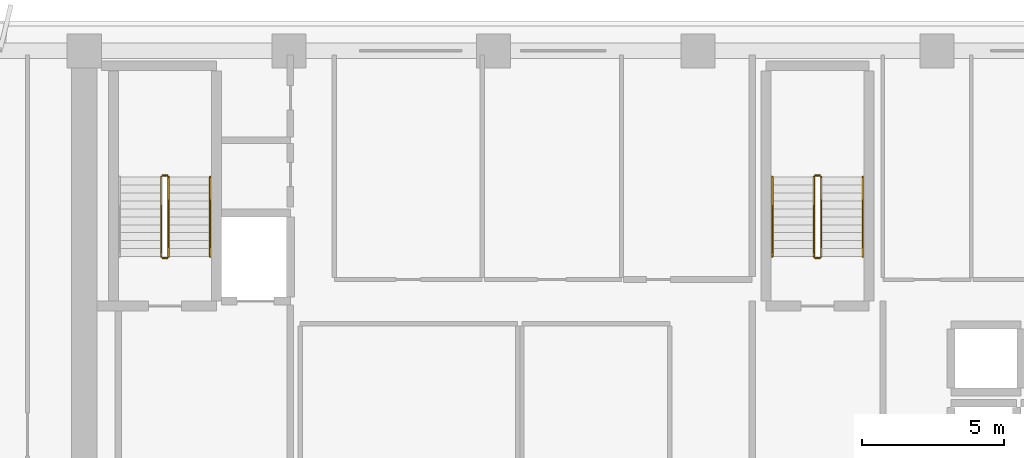
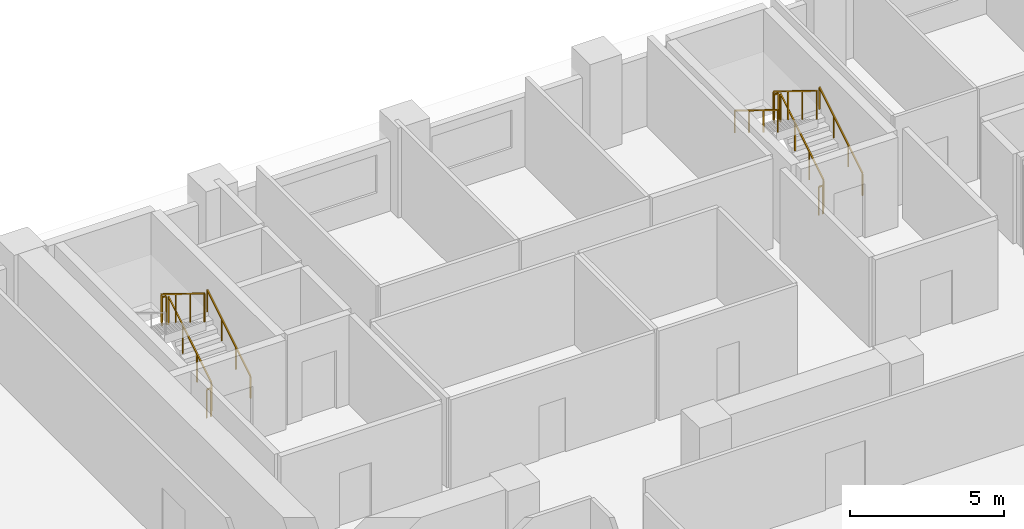
# One storey, part 13 of 15: 11 railings.
"""IFC4 building model written with IfcOpenShell, lengths in metres."""

from ifc_helpers import new_model, si_unit, direction, frame, origin, origin_2d, place, context, subcontext, project, spatial, rectangle, extrude, material, type_object, element, save


model = new_model("IFC4")

# Units and contexts
model_context = context("Model", 3, precision=1e-05, world=origin(), true_north=direction((0.0, 1.0)))
body_context = subcontext(model_context, "Body", "Model", "MODEL_VIEW")
ifc_project = project(units=[si_unit("LENGTHUNIT", "METRE"), si_unit("AREAUNIT", "SQUARE_METRE"), si_unit("VOLUMEUNIT", "CUBIC_METRE"), si_unit("PLANEANGLEUNIT", "RADIAN"), si_unit("MASSUNIT", "GRAM", prefix="KILO")], contexts=[model_context])

# Site, building, storey
site_placement = place(None, origin())
site = spatial("IfcSite", under=ifc_project, at=site_placement, CompositionType="ELEMENT")
building_placement = place(site_placement, origin())
building = spatial("IfcBuilding", under=site, at=building_placement, Name="Kaelvorn Grand Hotel", CompositionType="ELEMENT")
storey_placement = place(building_placement, frame((0.0, 0.0, 150.550048828125)))
storey = spatial("IfcBuildingStorey", under=building, at=storey_placement, Name="L36", CompositionType="ELEMENT", Elevation=150.550048828125)

# Railings
ifc_material = material(Name="Stainless Steel", Category="steel")
railing_type_1 = type_object("IfcRailingType", Name="RL-HANDRAIL-900", PredefinedType="HANDRAIL", material=ifc_material)
for number, where, name in (
    (1, (20.6298828125, 41.760009765625, 0.172607421875), "L36 ST1 stair handrail 1"),
    (2, (43.590087890625, 41.760009765625, 0.172607421875), "L36 ST2 stair handrail 1"),
):
    element("IfcRailing", number, at=place(storey_placement, frame(where)), inside=storey, type_object=railing_type_1, Name=name, PredefinedType="HANDRAIL", context=body_context, shape_type="SweptSolid", body=[
        extrude(rectangle(XDim=0.048095703125, YDim=0.048095703125, at=origin_2d()), frame((0.0, 0.0, 0.8759765625), z_axis=(0.0, 0.851089632645, 0.525020415988), x_axis=(-1.0, 0.0, 0.0)), (0.0, 0.0, 1.0), 3.2900390625),
        extrude(rectangle(XDim=0.0419921875, YDim=0.0419921875, at=origin_2d()), origin(), (0.0, 0.0, 1.0), 0.851806640625),
        extrude(rectangle(XDim=0.0419921875, YDim=0.0419921875, at=origin_2d()), frame((0.0, 0.933349609375, 0.57568359375)), (0.0, 0.0, 1.0), 0.851806640625),
        extrude(rectangle(XDim=0.0419921875, YDim=0.0419921875, at=origin_2d()), frame((0.0, 1.86669921875, 1.151611328125)), (0.0, 0.0, 1.0), 0.851806640625),
        extrude(rectangle(XDim=0.0419921875, YDim=0.0419921875, at=origin_2d()), frame((0.0, 2.800048828125, 1.727294921875)), (0.0, 0.0, 1.0), 0.851806640625),
    ])
railing_1_placement = place(storey_placement, frame((40.409912109375, 44.56005859375, 2.07275390625)))
element("IfcRailing", 3, at=railing_1_placement, inside=storey, type_object=railing_type_1, Name="L36 ST2 stair handrail 2", PredefinedType="HANDRAIL", context=body_context, shape_type="SweptSolid", body=[
    extrude(rectangle(XDim=0.048095703125, YDim=0.048095703125, at=origin_2d()), frame((0.0, 0.0, 0.8759765625), z_axis=(0.0, -0.851089632645, 0.525020415988), x_axis=(1.0, 0.0, 0.0)), (0.0, 0.0, 1.0), 3.2900390625),
    extrude(rectangle(XDim=0.0419921875, YDim=0.0419921875, at=origin_2d()), origin(), (0.0, 0.0, 1.0), 0.851806640625),
    extrude(rectangle(XDim=0.0419921875, YDim=0.0419921875, at=origin_2d()), frame((0.0, -0.933349609375, 0.57568359375)), (0.0, 0.0, 1.0), 0.851806640625),
    extrude(rectangle(XDim=0.0419921875, YDim=0.0419921875, at=origin_2d()), frame((0.0, -1.86669921875, 1.151611328125)), (0.0, 0.0, 1.0), 0.851806640625),
    extrude(rectangle(XDim=0.0419921875, YDim=0.0419921875, at=origin_2d()), frame((0.0, -2.800048828125, 1.727294921875)), (0.0, 0.0, 1.0), 0.851806640625),
])
railing_type_2 = type_object("IfcRailingType", Name="RL-STAIR-GUARD-1150", PredefinedType="BALUSTRADE", material=ifc_material)
railing_2_placement = place(storey_placement, frame((19.169921875, 41.760009765625, 0.172607421875)))
element("IfcRailing", 4, at=railing_2_placement, inside=storey, type_object=railing_type_2, Name="L36 ST1 stair guard 1", PredefinedType="BALUSTRADE", context=body_context, shape_type="SweptSolid", body=[
    extrude(rectangle(XDim=0.048095703125, YDim=0.048095703125, at=origin_2d()), frame((0.0, 0.0, 1.1259765625), z_axis=(0.0, 0.851089632645, 0.525020415988), x_axis=(-1.0, 0.0, 0.0)), (0.0, 0.0, 1.0), 3.2900390625),
    extrude(rectangle(XDim=0.0419921875, YDim=0.0419921875, at=origin_2d()), origin(), (0.0, 0.0, 1.0), 1.101806640625),
    extrude(rectangle(XDim=0.0419921875, YDim=0.0419921875, at=origin_2d()), frame((0.0, 0.933349609375, 0.57568359375)), (0.0, 0.0, 1.0), 1.101806640625),
    extrude(rectangle(XDim=0.0419921875, YDim=0.0419921875, at=origin_2d()), frame((0.0, 1.86669921875, 1.151611328125)), (0.0, 0.0, 1.0), 1.101806640625),
    extrude(rectangle(XDim=0.0419921875, YDim=0.0419921875, at=origin_2d()), frame((0.0, 2.800048828125, 1.727294921875)), (0.0, 0.0, 1.0), 1.101806640625),
])
railing_3_placement = place(storey_placement, frame((19.1201171875, 44.610107421875, 1.89990234375)))
element("IfcRailing", 5, at=railing_3_placement, inside=storey, type_object=railing_type_2, Name="L36 ST1 stair guard 2", PredefinedType="BALUSTRADE", context=body_context, shape_type="SweptSolid", body=[
    extrude(rectangle(XDim=0.048095703125, YDim=0.048095703125, at=origin_2d()), frame((0.0, 0.0, 1.1259765625), z_axis=(-1.0, 0.0, 0.0), x_axis=(0.0, -1.0, 0.0)), (0.0, 0.0, 1.0), 0.16015625),
    extrude(rectangle(XDim=0.0419921875, YDim=0.0419921875, at=origin_2d()), origin(), (0.0, 0.0, 1.0), 1.101806640625),
    extrude(rectangle(XDim=0.0419921875, YDim=0.0419921875, at=origin_2d()), frame((-0.16015625, 0.0, 0.0)), (0.0, 0.0, 1.0), 1.101806640625),
])
railing_4_placement = place(storey_placement, frame((18.909912109375, 44.56005859375, 2.07275390625)))
element("IfcRailing", 6, at=railing_4_placement, inside=storey, type_object=railing_type_2, Name="L36 ST1 stair guard 3", PredefinedType="BALUSTRADE", context=body_context, shape_type="SweptSolid", body=[
    extrude(rectangle(XDim=0.048095703125, YDim=0.048095703125, at=origin_2d()), frame((0.0, 0.0, 1.1259765625), z_axis=(0.0, -0.851089632645, 0.525020415988), x_axis=(1.0, 0.0, 0.0)), (0.0, 0.0, 1.0), 3.2900390625),
    extrude(rectangle(XDim=0.0419921875, YDim=0.0419921875, at=origin_2d()), origin(), (0.0, 0.0, 1.0), 1.101806640625),
    extrude(rectangle(XDim=0.0419921875, YDim=0.0419921875, at=origin_2d()), frame((0.0, -0.933349609375, 0.57568359375)), (0.0, 0.0, 1.0), 1.101806640625),
    extrude(rectangle(XDim=0.0419921875, YDim=0.0419921875, at=origin_2d()), frame((0.0, -1.86669921875, 1.151611328125)), (0.0, 0.0, 1.0), 1.101806640625),
    extrude(rectangle(XDim=0.0419921875, YDim=0.0419921875, at=origin_2d()), frame((0.0, -2.800048828125, 1.727294921875)), (0.0, 0.0, 1.0), 1.101806640625),
])
railing_5_placement = place(storey_placement, frame((19.1201171875, 41.7099609375, 0.0)))
element("IfcRailing", 7, at=railing_5_placement, inside=storey, type_object=railing_type_2, Name="L36 ST1 stair guard 4", PredefinedType="BALUSTRADE", context=body_context, shape_type="SweptSolid", body=[
    extrude(rectangle(XDim=0.048095703125, YDim=0.048095703125, at=origin_2d()), frame((0.0, 0.0, 1.1259765625), z_axis=(-1.0, 0.0, 0.0), x_axis=(0.0, -1.0, 0.0)), (0.0, 0.0, 1.0), 0.16015625),
    extrude(rectangle(XDim=0.0419921875, YDim=0.0419921875, at=origin_2d()), origin(), (0.0, 0.0, 1.0), 1.101806640625),
    extrude(rectangle(XDim=0.0419921875, YDim=0.0419921875, at=origin_2d()), frame((-0.16015625, 0.0, 0.0)), (0.0, 0.0, 1.0), 1.101806640625),
])
railing_6_placement = place(storey_placement, frame((42.1298828125, 41.760009765625, 0.172607421875)))
element("IfcRailing", 8, at=railing_6_placement, inside=storey, type_object=railing_type_2, Name="L36 ST2 stair guard 1", PredefinedType="BALUSTRADE", context=body_context, shape_type="SweptSolid", body=[
    extrude(rectangle(XDim=0.048095703125, YDim=0.048095703125, at=origin_2d()), frame((0.0, 0.0, 1.1259765625), z_axis=(0.0, 0.851089632645, 0.525020415988), x_axis=(-1.0, 0.0, 0.0)), (0.0, 0.0, 1.0), 3.2900390625),
    extrude(rectangle(XDim=0.0419921875, YDim=0.0419921875, at=origin_2d()), origin(), (0.0, 0.0, 1.0), 1.101806640625),
    extrude(rectangle(XDim=0.0419921875, YDim=0.0419921875, at=origin_2d()), frame((0.0, 0.933349609375, 0.57568359375)), (0.0, 0.0, 1.0), 1.101806640625),
    extrude(rectangle(XDim=0.0419921875, YDim=0.0419921875, at=origin_2d()), frame((0.0, 1.86669921875, 1.151611328125)), (0.0, 0.0, 1.0), 1.101806640625),
    extrude(rectangle(XDim=0.0419921875, YDim=0.0419921875, at=origin_2d()), frame((0.0, 2.800048828125, 1.727294921875)), (0.0, 0.0, 1.0), 1.101806640625),
])
railing_7_placement = place(storey_placement, frame((42.080078125, 44.610107421875, 1.89990234375)))
element("IfcRailing", 9, at=railing_7_placement, inside=storey, type_object=railing_type_2, Name="L36 ST2 stair guard 2", PredefinedType="BALUSTRADE", context=body_context, shape_type="SweptSolid", body=[
    extrude(rectangle(XDim=0.048095703125, YDim=0.048095703125, at=origin_2d()), frame((0.0, 0.0, 1.1259765625), z_axis=(-1.0, 0.0, 0.0), x_axis=(0.0, -1.0, 0.0)), (0.0, 0.0, 1.0), 0.16015625),
    extrude(rectangle(XDim=0.0419921875, YDim=0.0419921875, at=origin_2d()), origin(), (0.0, 0.0, 1.0), 1.101806640625),
    extrude(rectangle(XDim=0.0419921875, YDim=0.0419921875, at=origin_2d()), frame((-0.16015625, 0.0, 0.0)), (0.0, 0.0, 1.0), 1.101806640625),
])
railing_8_placement = place(storey_placement, frame((41.8701171875, 44.56005859375, 2.07275390625)))
element("IfcRailing", 10, at=railing_8_placement, inside=storey, type_object=railing_type_2, Name="L36 ST2 stair guard 3", PredefinedType="BALUSTRADE", context=body_context, shape_type="SweptSolid", body=[
    extrude(rectangle(XDim=0.048095703125, YDim=0.048095703125, at=origin_2d()), frame((0.0, 0.0, 1.1259765625), z_axis=(0.0, -0.851089632645, 0.525020415988), x_axis=(1.0, 0.0, 0.0)), (0.0, 0.0, 1.0), 3.2900390625),
    extrude(rectangle(XDim=0.0419921875, YDim=0.0419921875, at=origin_2d()), origin(), (0.0, 0.0, 1.0), 1.101806640625),
    extrude(rectangle(XDim=0.0419921875, YDim=0.0419921875, at=origin_2d()), frame((0.0, -0.933349609375, 0.57568359375)), (0.0, 0.0, 1.0), 1.101806640625),
    extrude(rectangle(XDim=0.0419921875, YDim=0.0419921875, at=origin_2d()), frame((0.0, -1.86669921875, 1.151611328125)), (0.0, 0.0, 1.0), 1.101806640625),
    extrude(rectangle(XDim=0.0419921875, YDim=0.0419921875, at=origin_2d()), frame((0.0, -2.800048828125, 1.727294921875)), (0.0, 0.0, 1.0), 1.101806640625),
])
railing_9_placement = place(storey_placement, frame((42.080078125, 41.7099609375, 0.0)))
element("IfcRailing", 11, at=railing_9_placement, inside=storey, type_object=railing_type_2, Name="L36 ST2 stair guard 4", PredefinedType="BALUSTRADE", context=body_context, shape_type="SweptSolid", body=[
    extrude(rectangle(XDim=0.048095703125, YDim=0.048095703125, at=origin_2d()), frame((0.0, 0.0, 1.1259765625), z_axis=(-1.0, 0.0, 0.0), x_axis=(0.0, -1.0, 0.0)), (0.0, 0.0, 1.0), 0.16015625),
    extrude(rectangle(XDim=0.0419921875, YDim=0.0419921875, at=origin_2d()), origin(), (0.0, 0.0, 1.0), 1.101806640625),
    extrude(rectangle(XDim=0.0419921875, YDim=0.0419921875, at=origin_2d()), frame((-0.16015625, 0.0, 0.0)), (0.0, 0.0, 1.0), 1.101806640625),
])

save(model, "model.ifc")
